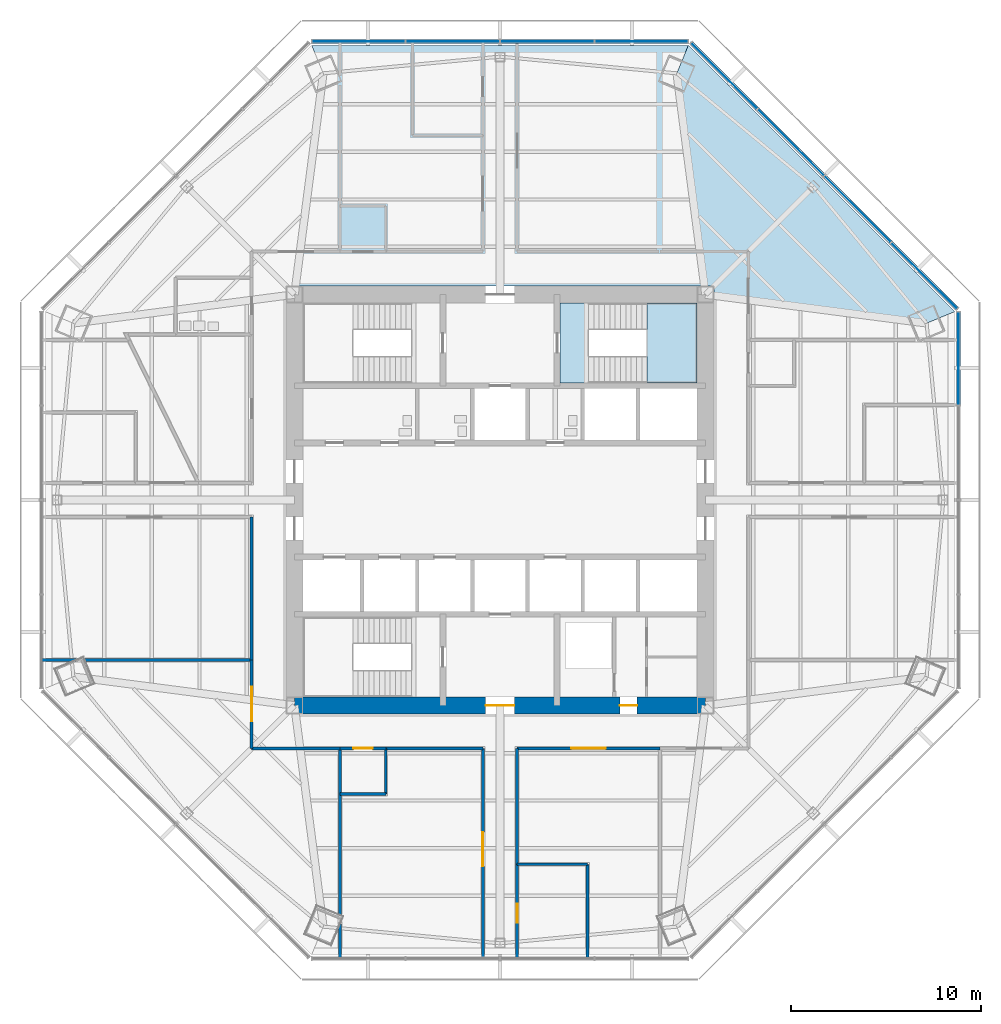
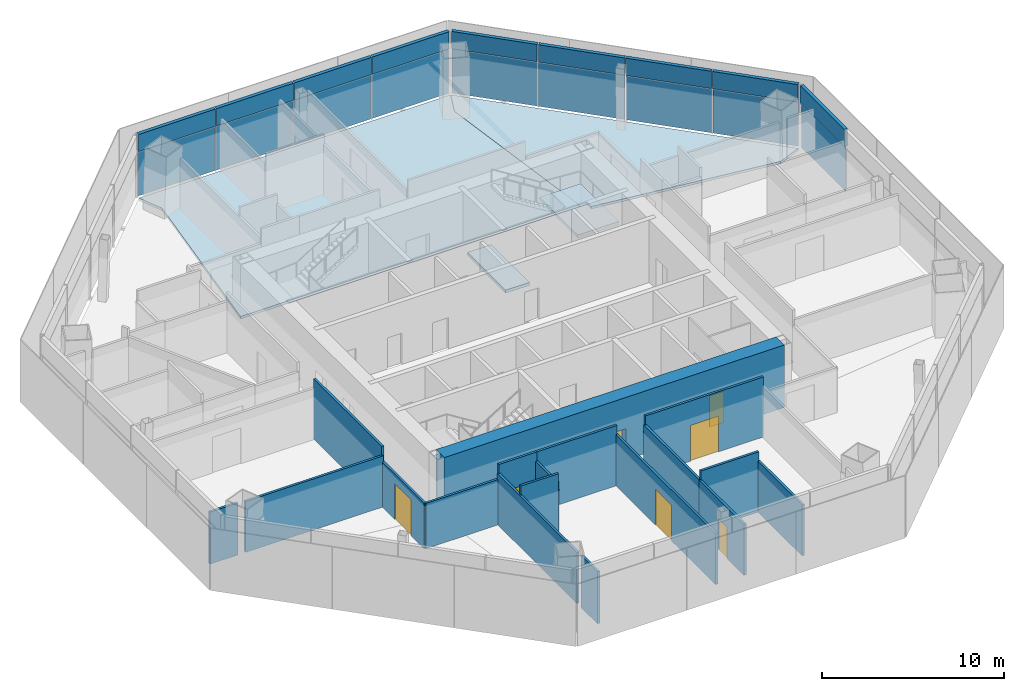
# One storey, part 8 of 14: 18 plates, 18 walls, 7 doors, 4 slabs, 7 openings, 4 elements without a shape of their own.
"""IFC4 building model written with IfcOpenShell, lengths in metres."""

from ifc_helpers import new_model, si_unit, direction, frame, frame_2d, origin, origin_2d, place, context, subcontext, project, spatial, polyline, rectangle, outline, extrude, source, transform, mapped, material, layer, layer_set, type_object, type_shapes, element, fill, aggregate, save


model = new_model("IFC4")

# Units and contexts
model_context = context("Model", 3, precision=1e-05, world=origin(), true_north=direction((0.0, 1.0)))
body_context = subcontext(model_context, "Body", "Model", "MODEL_VIEW")
ifc_project = project(units=[si_unit("LENGTHUNIT", "METRE"), si_unit("AREAUNIT", "SQUARE_METRE"), si_unit("VOLUMEUNIT", "CUBIC_METRE"), si_unit("PLANEANGLEUNIT", "RADIAN"), si_unit("MASSUNIT", "GRAM", prefix="KILO")], contexts=[model_context])

# Site, building, storey
site_placement = place(None, origin())
site = spatial("IfcSite", under=ifc_project, at=site_placement, CompositionType="ELEMENT")
building_placement = place(site_placement, origin())
building = spatial("IfcBuilding", under=site, at=building_placement, Name="Mashrafa Tower", CompositionType="ELEMENT")
storey_placement = place(building_placement, frame((0.0, 0.0, 138.60009765625)))
storey = spatial("IfcBuildingStorey", under=building, at=storey_placement, Name="L31", CompositionType="ELEMENT", Elevation=138.60009765625)

# Slabs
ifc_material_1 = material(Name="Concrete C35/45", Category="concrete")
ifc_layer_1 = layer(ifc_material_1, 0.1650390625)
ifc_layer_set_1 = layer_set([ifc_layer_1], Name="Floor slab 165")
slab_type_1 = type_object("IfcSlabType", Name="Floor slab 165", PredefinedType="FLOOR", material=ifc_layer_set_1)
slab_1_placement = place(storey_placement, frame((0.0, 0.0, -0.1650390625)))
element("IfcSlab", 1, at=slab_1_placement, inside=storey, type_object=slab_type_1, Name="Floor slab L31 north-east bay", PredefinedType="FLOOR", context=body_context, shape_type="SweptSolid", body=[
    extrude(outline(polyline([(9.897216796875, 23.893798828125), (23.893798828125, 9.897216796875), (23.893798828125, 9.897216796875), (22.42041015625, 9.286865234375), (11.25, 10.741455078125), (11.25, 11.25), (10.741455078125, 11.25), (9.286865234375, 22.42041015625), (9.897216796875, 23.893798828125), (9.897216796875, 23.893798828125)])), origin(), (0.0, 0.0, 1.0), 0.1650390625),
])
slab_2_placement = place(storey_placement, frame((0.0, 0.0, -0.1650390625)))
element("IfcSlab", 2, at=slab_2_placement, inside=storey, type_object=slab_type_1, Name="Floor slab L31 north bay", PredefinedType="FLOOR", context=body_context, shape_type="SweptSolid", body=[
    extrude(outline(polyline([(9.897216796875, 23.893798828125), (9.286865234375, 22.42041015625), (10.741455078125, 11.25), (-10.741455078125, 11.25), (-9.286865234375, 22.42041015625), (-9.897216796875, 23.893798828125), (9.897216796875, 23.893798828125)])), origin(), (0.0, 0.0, 1.0), 0.1650390625),
])

# Stair, slabs
ifc_material_2 = material(Name="Exit stair 1400")
stair_type = type_object("IfcStairType", Name="Exit stair 1400", PredefinedType="HALF_TURN_STAIR", material=ifc_material_2)
stair_placement = place(storey_placement, origin())
stair = element("IfcStair", 3, at=stair_placement, inside=storey, type_object=stair_type, Name="Stair S2 L31", PredefinedType="HALF_TURN_STAIR")
ifc_material_3 = material(Name="Concrete C32/40", Category="concrete")
ifc_layer_2 = layer(ifc_material_3, 0.199951171875)
ifc_layer_set_2 = layer_set([ifc_layer_2], Name="Stair landing 200")
slab_type_2 = type_object("IfcSlabType", Name="Stair landing 200", PredefinedType="LANDING", material=ifc_layer_set_2)
slab_3_placement = place(storey_placement, frame((0.0, 0.0, -0.2001953125)))
slab_3 = element("IfcSlab", 4, at=slab_3_placement, type_object=slab_type_2, Name="S2 landing 1", PredefinedType="LANDING", context=body_context, shape_type="SweptSolid", body=[
    extrude(outline(polyline([(3.14990234375, 6.14990234375), (4.659912109375, 6.14990234375), (4.659912109375, 10.35009765625), (3.14990234375, 10.35009765625), (3.14990234375, 6.14990234375)])), origin(), (0.0, 0.0, 1.0), 0.2001953125),
])
slab_4_placement = place(storey_placement, frame((0.0, 0.0, 1.89990234375)))
slab_4 = element("IfcSlab", 5, at=slab_4_placement, type_object=slab_type_2, Name="S2 landing 2", PredefinedType="LANDING", context=body_context, shape_type="SweptSolid", body=[
    extrude(outline(polyline([(7.719970703125, 6.14990234375), (10.35009765625, 6.14990234375), (10.35009765625, 10.35009765625), (7.719970703125, 10.35009765625), (7.719970703125, 6.14990234375)])), origin(), (0.0, 0.0, 1.0), 0.199951171875),
])
aggregate(stair, [slab_3, slab_4])

# Curtain wall, plate
ifc_material_4 = material(Name="Unitised aluminium curtain wall", Category="aluminium")
curtain_wall_type = type_object("IfcCurtainWallType", Name="Office curtain wall, zone 2 CW-B 225 deep", PredefinedType="NOTDEFINED", material=ifc_material_4)
curtain_wall_1_placement = place(storey_placement, origin())
curtain_wall_1 = element("IfcCurtainWall", 6, at=curtain_wall_1_placement, inside=storey, type_object=curtain_wall_type, Name="Office curtain wall, zone 2 L31 east", PredefinedType="NOTDEFINED")
ifc_material_5 = material(Name="Insulated double glazing, low-e, neutral", Category="glass")
ifc_layer_3 = layer(ifc_material_5, 0.028076171875)
ifc_layer_set_3 = layer_set([ifc_layer_3], Name="Vision panel CW-B 28")
plate_type_1 = type_object("IfcPlateType", Name="Vision panel CW-B 28", PredefinedType="CURTAIN_PANEL", material=ifc_layer_set_3)
shared_shape_1 = source(origin(), body_context, "Body", "SweptSolid", [
    extrude(rectangle(XDim=4.8642578125, YDim=0.028076171875, at=origin_2d()), origin(), (0.0, 0.0, 1.0), 2.9599609375),
])
plate_1_placement = place(storey_placement, frame((24.093994140625, 7.42626953125, 0.0), z_axis=(0.0, 0.0, 1.0), x_axis=(0.0, 1.0, 0.0)))
plate_1 = element("IfcPlate", 7, at=plate_1_placement, type_object=plate_type_1, Name="CW-B vision panel 4", PredefinedType="CURTAIN_PANEL", context=body_context, shape_type="MappedRepresentation", body=[
    mapped(shared_shape_1, transform((0.0, 0.0, 0.0))),
])

# Curtain wall, plates
curtain_wall_2_placement = place(storey_placement, origin())
curtain_wall_2 = element("IfcCurtainWall", 8, at=curtain_wall_2_placement, inside=storey, type_object=curtain_wall_type, Name="Office curtain wall, zone 2 L31 north-east", PredefinedType="NOTDEFINED")
plate_2_placement = place(storey_placement, frame((22.2880859375, 11.785888671875, 0.0), z_axis=(0.0, 0.0, 1.0), x_axis=(-0.707106781187, 0.707106781187, 0.0)))
plate_2 = element("IfcPlate", 9, at=plate_2_placement, type_object=plate_type_1, Name="CW-B vision panel 1", PredefinedType="CURTAIN_PANEL", context=body_context, shape_type="MappedRepresentation", body=[
    mapped(shared_shape_1, transform((0.0, 0.0, 0.0))),
])
plate_3_placement = place(storey_placement, frame((11.785888671875, 22.2880859375, 0.0), z_axis=(0.0, 0.0, 1.0), x_axis=(-0.707106781187, 0.707106781187, 0.0)))
plate_3 = element("IfcPlate", 10, at=plate_3_placement, type_object=plate_type_1, Name="CW-B vision panel 4", PredefinedType="CURTAIN_PANEL", context=body_context, shape_type="MappedRepresentation", body=[
    mapped(shared_shape_1, transform((0.0, 0.0, 0.0))),
])

curtain_wall_3_placement = place(storey_placement, origin())
curtain_wall_3 = element("IfcCurtainWall", 11, at=curtain_wall_3_placement, inside=storey, type_object=curtain_wall_type, Name="Office curtain wall, zone 2 L31 north", PredefinedType="NOTDEFINED")
plate_4_placement = place(storey_placement, frame((7.42626953125, 24.093994140625, 0.0), z_axis=(0.0, 0.0, 1.0), x_axis=(-1.0, 0.0, 0.0)))
plate_4 = element("IfcPlate", 12, at=plate_4_placement, type_object=plate_type_1, Name="CW-B vision panel 1", PredefinedType="CURTAIN_PANEL", context=body_context, shape_type="MappedRepresentation", body=[
    mapped(shared_shape_1, transform((0.0, 0.0, 0.0))),
])
plate_5_placement = place(storey_placement, frame((-7.42626953125, 24.093994140625, 0.0), z_axis=(0.0, 0.0, 1.0), x_axis=(-1.0, 0.0, 0.0)))
plate_5 = element("IfcPlate", 13, at=plate_5_placement, type_object=plate_type_1, Name="CW-B vision panel 4", PredefinedType="CURTAIN_PANEL", context=body_context, shape_type="MappedRepresentation", body=[
    mapped(shared_shape_1, transform((0.0, 0.0, 0.0))),
])

# Plate
ifc_material_6 = material(Name="Insulated aluminium spandrel panel", Category="aluminium")
ifc_layer_4 = layer(ifc_material_6, 0.219970703125)
ifc_layer_set_4 = layer_set([ifc_layer_4], Name="Spandrel panel CW-B 220")
plate_type_2 = type_object("IfcPlateType", Name="Spandrel panel CW-B 220", PredefinedType="CURTAIN_PANEL", material=ifc_layer_set_4)
shared_shape_2 = source(origin(), body_context, "Body", "SweptSolid", [
    extrude(rectangle(XDim=4.8642578125, YDim=0.219970703125, at=origin_2d()), origin(), (0.0, 0.0, 1.0), 1.159912109375),
])
plate_6_placement = place(storey_placement, frame((24.093994140625, 7.42626953125, 3.0400390625), z_axis=(0.0, 0.0, 1.0), x_axis=(0.0, 1.0, 0.0)))
plate_6 = element("IfcPlate", 14, at=plate_6_placement, type_object=plate_type_2, Name="CW-B spandrel panel 4", PredefinedType="CURTAIN_PANEL", context=body_context, shape_type="MappedRepresentation", body=[
    mapped(shared_shape_2, transform((0.0, 0.0, 0.0))),
])

aggregate(curtain_wall_1, [plate_1, plate_6])

plate_7_placement = place(storey_placement, frame((22.2880859375, 11.785888671875, 3.0400390625), z_axis=(0.0, 0.0, 1.0), x_axis=(-0.707106781187, 0.707106781187, 0.0)))
plate_7 = element("IfcPlate", 15, at=plate_7_placement, type_object=plate_type_2, Name="CW-B spandrel panel 1", PredefinedType="CURTAIN_PANEL", context=body_context, shape_type="MappedRepresentation", body=[
    mapped(shared_shape_2, transform((0.0, 0.0, 0.0))),
])

plate_8_placement = place(storey_placement, frame((11.785888671875, 22.2880859375, 3.0400390625), z_axis=(0.0, 0.0, 1.0), x_axis=(-0.707106781187, 0.707106781187, 0.0)))
plate_8 = element("IfcPlate", 16, at=plate_8_placement, type_object=plate_type_2, Name="CW-B spandrel panel 4", PredefinedType="CURTAIN_PANEL", context=body_context, shape_type="MappedRepresentation", body=[
    mapped(shared_shape_2, transform((0.0, 0.0, 0.0))),
])

plate_9_placement = place(storey_placement, frame((7.42626953125, 24.093994140625, 3.0400390625), z_axis=(0.0, 0.0, 1.0), x_axis=(-1.0, 0.0, 0.0)))
plate_9 = element("IfcPlate", 17, at=plate_9_placement, type_object=plate_type_2, Name="CW-B spandrel panel 1", PredefinedType="CURTAIN_PANEL", context=body_context, shape_type="MappedRepresentation", body=[
    mapped(shared_shape_2, transform((0.0, 0.0, 0.0))),
])

plate_10_placement = place(storey_placement, frame((-7.42626953125, 24.093994140625, 3.0400390625), z_axis=(0.0, 0.0, 1.0), x_axis=(-1.0, 0.0, 0.0)))
plate_10 = element("IfcPlate", 18, at=plate_10_placement, type_object=plate_type_2, Name="CW-B spandrel panel 4", PredefinedType="CURTAIN_PANEL", context=body_context, shape_type="MappedRepresentation", body=[
    mapped(shared_shape_2, transform((0.0, 0.0, 0.0))),
])

shared_shape_3 = source(origin(), body_context, "Body", "SweptSolid", [
    extrude(rectangle(XDim=4.896728515625, YDim=0.028076171875, at=origin_2d()), origin(), (0.0, 0.0, 1.0), 2.9599609375),
])
type_shapes(plate_type_1, [shared_shape_1, shared_shape_3])
plate_11_placement = place(storey_placement, frame((18.791259765625, 15.28271484375, 0.0), z_axis=(0.0, 0.0, 1.0), x_axis=(-0.707106781187, 0.707106781187, 0.0)))
plate_11 = element("IfcPlate", 19, at=plate_11_placement, type_object=plate_type_1, Name="CW-B vision panel 2", PredefinedType="CURTAIN_PANEL", context=body_context, shape_type="MappedRepresentation", body=[
    mapped(shared_shape_3, transform((0.0, 0.0, 0.0))),
])

plate_12_placement = place(storey_placement, frame((15.28271484375, 18.791259765625, 0.0), z_axis=(0.0, 0.0, 1.0), x_axis=(-0.707106781187, 0.707106781187, 0.0)))
plate_12 = element("IfcPlate", 20, at=plate_12_placement, type_object=plate_type_1, Name="CW-B vision panel 3", PredefinedType="CURTAIN_PANEL", context=body_context, shape_type="MappedRepresentation", body=[
    mapped(shared_shape_3, transform((0.0, 0.0, 0.0))),
])

plate_13_placement = place(storey_placement, frame((2.48095703125, 24.093994140625, 0.0), z_axis=(0.0, 0.0, 1.0), x_axis=(-1.0, 0.0, 0.0)))
plate_13 = element("IfcPlate", 21, at=plate_13_placement, type_object=plate_type_1, Name="CW-B vision panel 2", PredefinedType="CURTAIN_PANEL", context=body_context, shape_type="MappedRepresentation", body=[
    mapped(shared_shape_3, transform((0.0, 0.0, 0.0))),
])

plate_14_placement = place(storey_placement, frame((-2.48095703125, 24.093994140625, 0.0), z_axis=(0.0, 0.0, 1.0), x_axis=(-1.0, 0.0, 0.0)))
plate_14 = element("IfcPlate", 22, at=plate_14_placement, type_object=plate_type_1, Name="CW-B vision panel 3", PredefinedType="CURTAIN_PANEL", context=body_context, shape_type="MappedRepresentation", body=[
    mapped(shared_shape_3, transform((0.0, 0.0, 0.0))),
])

shared_shape_4 = source(origin(), body_context, "Body", "SweptSolid", [
    extrude(rectangle(XDim=4.896728515625, YDim=0.219970703125, at=origin_2d()), origin(), (0.0, 0.0, 1.0), 1.159912109375),
])
type_shapes(plate_type_2, [shared_shape_2, shared_shape_4])
plate_15_placement = place(storey_placement, frame((18.791259765625, 15.28271484375, 3.0400390625), z_axis=(0.0, 0.0, 1.0), x_axis=(-0.707106781187, 0.707106781187, 0.0)))
plate_15 = element("IfcPlate", 23, at=plate_15_placement, type_object=plate_type_2, Name="CW-B spandrel panel 2", PredefinedType="CURTAIN_PANEL", context=body_context, shape_type="MappedRepresentation", body=[
    mapped(shared_shape_4, transform((0.0, 0.0, 0.0))),
])

plate_16_placement = place(storey_placement, frame((15.28271484375, 18.791259765625, 3.0400390625), z_axis=(0.0, 0.0, 1.0), x_axis=(-0.707106781187, 0.707106781187, 0.0)))
plate_16 = element("IfcPlate", 24, at=plate_16_placement, type_object=plate_type_2, Name="CW-B spandrel panel 3", PredefinedType="CURTAIN_PANEL", context=body_context, shape_type="MappedRepresentation", body=[
    mapped(shared_shape_4, transform((0.0, 0.0, 0.0))),
])

aggregate(curtain_wall_2, [plate_2, plate_7, plate_11, plate_15, plate_12, plate_16, plate_3, plate_8])

plate_17_placement = place(storey_placement, frame((2.48095703125, 24.093994140625, 3.0400390625), z_axis=(0.0, 0.0, 1.0), x_axis=(-1.0, 0.0, 0.0)))
plate_17 = element("IfcPlate", 25, at=plate_17_placement, type_object=plate_type_2, Name="CW-B spandrel panel 2", PredefinedType="CURTAIN_PANEL", context=body_context, shape_type="MappedRepresentation", body=[
    mapped(shared_shape_4, transform((0.0, 0.0, 0.0))),
])

plate_18_placement = place(storey_placement, frame((-2.48095703125, 24.093994140625, 3.0400390625), z_axis=(0.0, 0.0, 1.0), x_axis=(-1.0, 0.0, 0.0)))
plate_18 = element("IfcPlate", 26, at=plate_18_placement, type_object=plate_type_2, Name="CW-B spandrel panel 3", PredefinedType="CURTAIN_PANEL", context=body_context, shape_type="MappedRepresentation", body=[
    mapped(shared_shape_4, transform((0.0, 0.0, 0.0))),
])

aggregate(curtain_wall_3, [plate_4, plate_9, plate_13, plate_17, plate_14, plate_18, plate_5, plate_10])

# Wall, openings, doors
ifc_material_7 = material(Name="Concrete C60/75", Category="concrete")
ifc_layer_5 = layer(ifc_material_7, 0.89990234375)
ifc_layer_set_5 = layer_set([ifc_layer_5], Name="Core wall 900 C60/75")
wall_type_1 = type_object("IfcWallType", Name="Core wall 900 C60/75", PredefinedType="SOLIDWALL", material=ifc_layer_set_5)
wall_1_placement = place(storey_placement, frame((-10.800048828125, -10.800048828125, 0.0), z_axis=(0.0, 0.0, 1.0), x_axis=(1.0, 0.0, 0.0)))
wall_1 = element("IfcWall", 27, at=wall_1_placement, inside=storey, type_object=wall_type_1, Name="Core wall CW-S L31", PredefinedType="SOLIDWALL", context=body_context, shape_type="SweptSolid", body=[
    extrude(rectangle(XDim=21.60009765625, YDim=0.89990234375, at=frame_2d((10.800048828125, 0.0))), origin(), (0.0, 0.0, 1.0), 4.199951171875),
])
opening_1_placement = place(wall_1_placement, frame((10.050048828125, 0.0, 0.0)))
opening_1 = element("IfcOpeningElement", 28, at=opening_1_placement, cuts=wall_1, Name="Opening 31.027", PredefinedType="OPENING", context=body_context, shape_type="SweptSolid", body=[
    extrude(rectangle(XDim=1.5, YDim=2.10009765625, at=frame_2d((0.75, 1.050048828125))), frame((0.0, 0.4599609375, 0.0), z_axis=(0.0, -1.0, 0.0), x_axis=(1.0, 0.0, 0.0)), (0.0, 0.0, 1.0), 0.919921875),
])
opening_2_placement = place(wall_1_placement, frame((17.10009765625, 0.0, 0.0)))
opening_2 = element("IfcOpeningElement", 29, at=opening_2_placement, cuts=wall_1, Name="Opening 31.031", PredefinedType="OPENING", context=body_context, shape_type="SweptSolid", body=[
    extrude(rectangle(XDim=0.89990234375, YDim=2.10009765625, at=frame_2d((0.449951171875, 1.050048828125))), frame((0.0, 0.4599609375, 0.0), z_axis=(0.0, -1.0, 0.0), x_axis=(1.0, 0.0, 0.0)), (0.0, 0.0, 1.0), 0.919921875),
])
ifc_material_8 = material(Name="Steel door", Category="steel")
door_type_1 = type_object("IfcDoorType", Name="Lobby door pair 1500 x 2100 90 min", OperationType="DOUBLE_DOOR_SINGLE_SWING", PredefinedType="DOOR", material=ifc_material_8)
door_1_placement = place(opening_1_placement, origin())
door_1 = element("IfcDoor", 30, at=door_1_placement, inside=storey, type_object=door_type_1, Name="Fire-fighting lobby F2 door L31", OperationType="DOUBLE_DOOR_SINGLE_SWING", OverallHeight=2.10009765625, OverallWidth=1.5, PredefinedType="DOOR", context=body_context, shape_type="SweptSolid", body=[
    extrude(rectangle(XDim=1.5, YDim=2.10009765625, at=frame_2d((0.75, 1.050048828125))), frame((0.0, 0.02490234375, 0.0), z_axis=(0.0, -1.0, 0.0), x_axis=(1.0, 0.0, 0.0)), (0.0, 0.0, 1.0), 0.050048828125),
])
fill(opening_1, door_1)
ifc_material_9 = material(Name="Steel door", Category="steel")
door_type_2 = type_object("IfcDoorType", Name="Service door 900 x 2100 90 min", OperationType="USERDEFINED", PredefinedType="DOOR", material=ifc_material_9)
door_2_placement = place(opening_2_placement, frame((0.89990234375, 0.0, 0.0), z_axis=(0.0, 0.0, 1.0), x_axis=(-1.0, 0.0, 0.0)))
door_2 = element("IfcDoor", 31, at=door_2_placement, inside=storey, type_object=door_type_2, Name="Services Lobby L31 door", OperationType="SINGLE_SWING_LEFT", OverallHeight=2.10009765625, OverallWidth=0.89990234375, PredefinedType="DOOR", context=body_context, shape_type="SweptSolid", body=[
    extrude(rectangle(XDim=0.89990234375, YDim=2.10009765625, at=frame_2d((0.449951171875, 1.050048828125))), frame((0.0, 0.02490234375, 0.0), z_axis=(0.0, -1.0, 0.0), x_axis=(1.0, 0.0, 0.0)), (0.0, 0.0, 1.0), 0.050048828125),
])
fill(opening_2, door_2)

# Wall, opening, door
ifc_material_10 = material(Name="Gypsum board on steel studs", Category="steel")
ifc_layer_6 = layer(ifc_material_10, 0.14990234375)
ifc_layer_set_6 = layer_set([ifc_layer_6], Name="Corridor partition 150 1 hr")
wall_type_2 = type_object("IfcWallType", Name="Corridor partition 150 1 hr", PredefinedType="PARTITIONING", material=ifc_layer_set_6)
wall_2_placement = place(storey_placement, frame((0.89990234375, -24.077880859375, 0.0), z_axis=(0.0, 0.0, 1.0), x_axis=(0.0, 1.0, 0.0)))
wall_2 = element("IfcWall", 32, at=wall_2_placement, inside=storey, type_object=wall_type_2, Name="Corridor wall L31-005", PredefinedType="PARTITIONING", context=body_context, shape_type="SweptSolid", body=[
    extrude(rectangle(XDim=4.93505859375, YDim=0.14990234375, at=frame_2d((2.467529296875, 0.0))), origin(), (0.0, 0.0, 1.0), 3.425537109375),
])
opening_3_placement = place(wall_2_placement, frame((1.849609375, 0.0, 0.0)))
opening_3 = element("IfcOpeningElement", 33, at=opening_3_placement, cuts=wall_2, Name="Opening 31.004", PredefinedType="OPENING", context=body_context, shape_type="SweptSolid", body=[
    extrude(rectangle(XDim=1.0, YDim=2.10009765625, at=frame_2d((0.5, 1.050048828125))), frame((0.0, 0.0849609375, 0.0), z_axis=(0.0, -1.0, 0.0), x_axis=(1.0, 0.0, 0.0)), (0.0, 0.0, 1.0), 0.169921875),
])
ifc_material_11 = material(Name="Timber door", Category="wood")
door_type_3 = type_object("IfcDoorType", Name="Door 1000 x 2100", OperationType="USERDEFINED", PredefinedType="DOOR", material=ifc_material_11)
door_3_placement = place(opening_3_placement, frame((1.0, 0.0, 0.0), z_axis=(0.0, 0.0, 1.0), x_axis=(-1.0, 0.0, 0.0)))
door_3 = element("IfcDoor", 34, at=door_3_placement, inside=storey, type_object=door_type_3, Name="Meeting Room 31-S door", OperationType="SINGLE_SWING_RIGHT", OverallHeight=2.10009765625, OverallWidth=1.0, PredefinedType="DOOR", context=body_context, shape_type="SweptSolid", body=[
    extrude(rectangle(XDim=1.0, YDim=2.10009765625, at=frame_2d((0.5, 1.050048828125))), frame((0.0, 0.02490234375, 0.0), z_axis=(0.0, -1.0, 0.0), x_axis=(1.0, 0.0, 0.0)), (0.0, 0.0, 1.0), 0.050048828125),
])
fill(opening_3, door_3)

wall_3_placement = place(storey_placement, frame((-8.40087890625, -13.050048828125, 0.0), z_axis=(0.0, 0.0, 1.0), x_axis=(1.0, 0.0, 0.0)))
wall_3 = element("IfcWall", 35, at=wall_3_placement, inside=storey, type_object=wall_type_2, Name="Corridor wall L31-010", PredefinedType="PARTITIONING", context=body_context, shape_type="SweptSolid", body=[
    extrude(rectangle(XDim=2.40185546875, YDim=0.14990234375, at=frame_2d((1.200927734375, 0.0))), origin(), (0.0, 0.0, 1.0), 4.034912109375),
])
opening_4_placement = place(wall_3_placement, frame((0.700927734375, 0.0, 0.0)))
opening_4 = element("IfcOpeningElement", 36, at=opening_4_placement, cuts=wall_3, Name="Opening 31.009", PredefinedType="OPENING", context=body_context, shape_type="SweptSolid", body=[
    extrude(rectangle(XDim=1.0, YDim=2.10009765625, at=frame_2d((0.5, 1.050048828125))), frame((0.0, 0.0849609375, 0.0), z_axis=(0.0, -1.0, 0.0), x_axis=(1.0, 0.0, 0.0)), (0.0, 0.0, 1.0), 0.169921875),
])
door_4_placement = place(opening_4_placement, frame((1.0, 0.0, 0.0), z_axis=(0.0, 0.0, 1.0), x_axis=(-1.0, 0.0, 0.0)))
door_4 = element("IfcDoor", 37, at=door_4_placement, inside=storey, type_object=door_type_3, Name="Kitchenette 31-S door", OperationType="SINGLE_SWING_RIGHT", OverallHeight=2.10009765625, OverallWidth=1.0, PredefinedType="DOOR", context=body_context, shape_type="SweptSolid", body=[
    extrude(rectangle(XDim=1.0, YDim=2.10009765625, at=frame_2d((0.5, 1.050048828125))), frame((0.0, 0.02490234375, 0.0), z_axis=(0.0, -1.0, 0.0), x_axis=(1.0, 0.0, 0.0)), (0.0, 0.0, 1.0), 0.050048828125),
])
fill(opening_4, door_4)

# Wall
wall_4_placement = place(storey_placement, frame((-6.0009765625, -13.050048828125, 0.0), z_axis=(0.0, 0.0, 1.0), x_axis=(1.0, 0.0, 0.0)))
element("IfcWall", 38, at=wall_4_placement, inside=storey, type_object=wall_type_2, Name="Corridor wall L31-022", PredefinedType="PARTITIONING", context=body_context, shape_type="SweptSolid", body=[
    extrude(rectangle(XDim=5.10107421875, YDim=0.14990234375, at=frame_2d((2.550537109375, 0.0))), origin(), (0.0, 0.0, 1.0), 4.034912109375),
])

# Wall, opening, door
wall_5_placement = place(storey_placement, frame((-0.89990234375, -13.050048828125, 0.0), z_axis=(0.0, 0.0, 1.0), x_axis=(0.0, -1.0, 0.0)))
wall_5 = element("IfcWall", 39, at=wall_5_placement, inside=storey, type_object=wall_type_2, Name="Corridor wall L31-023", PredefinedType="PARTITIONING", context=body_context, shape_type="SweptSolid", body=[
    extrude(rectangle(XDim=11.02783203125, YDim=0.14990234375, at=frame_2d((5.513916015625, 0.0))), origin(), (0.0, 0.0, 1.0), 3.425537109375),
])
opening_5_placement = place(wall_5_placement, frame((4.39697265625, 0.0, 0.0)))
opening_5 = element("IfcOpeningElement", 40, at=opening_5_placement, cuts=wall_5, Name="Opening 31.016", PredefinedType="OPENING", context=body_context, shape_type="SweptSolid", body=[
    extrude(rectangle(XDim=1.800048828125, YDim=2.39990234375, at=frame_2d((0.89990234375, 1.199951171875))), frame((0.0, 0.0849609375, 0.0), z_axis=(0.0, -1.0, 0.0), x_axis=(1.0, 0.0, 0.0)), (0.0, 0.0, 1.0), 0.169921875),
])
ifc_material_12 = material(Name="Timber door", Category="wood")
door_type_4 = type_object("IfcDoorType", Name="Door pair 1800 x 2400", OperationType="DOUBLE_DOOR_SINGLE_SWING", PredefinedType="DOOR", material=ifc_material_12)
door_5_placement = place(opening_5_placement, frame((1.800048828125, 0.0, 0.0), z_axis=(0.0, 0.0, 1.0), x_axis=(-1.0, 0.0, 0.0)))
door_5 = element("IfcDoor", 41, at=door_5_placement, inside=storey, type_object=door_type_4, Name="Office Suite 31-SW12 door", OperationType="DOUBLE_DOOR_SINGLE_SWING", OverallHeight=2.39990234375, OverallWidth=1.800048828125, PredefinedType="DOOR", context=body_context, shape_type="SweptSolid", body=[
    extrude(rectangle(XDim=1.800048828125, YDim=2.39990234375, at=frame_2d((0.89990234375, 1.199951171875))), frame((0.0, 0.02490234375, 0.0), z_axis=(0.0, -1.0, 0.0), x_axis=(1.0, 0.0, 0.0)), (0.0, 0.0, 1.0), 0.050048828125),
])
fill(opening_5, door_5)

# Wall
wall_6_placement = place(storey_placement, frame((-13.050048828125, -0.89990234375, 0.0), z_axis=(0.0, 0.0, 1.0), x_axis=(0.0, -1.0, 0.0)))
element("IfcWall", 42, at=wall_6_placement, inside=storey, type_object=wall_type_2, Name="Corridor wall L31-025", PredefinedType="PARTITIONING", context=body_context, shape_type="SweptSolid", body=[
    extrude(rectangle(XDim=7.5009765625, YDim=0.14990234375, at=frame_2d((3.75048828125, 0.0))), origin(), (0.0, 0.0, 1.0), 4.034912109375),
])

# Wall, opening, door
wall_7_placement = place(storey_placement, frame((-13.050048828125, -8.39892578125, 0.0), z_axis=(0.0, 0.0, 1.0), x_axis=(0.0, -1.0, 0.0)))
wall_7 = element("IfcWall", 43, at=wall_7_placement, inside=storey, type_object=wall_type_2, Name="Corridor wall L31-026", PredefinedType="PARTITIONING", context=body_context, shape_type="SweptSolid", body=[
    extrude(rectangle(XDim=4.651123046875, YDim=0.14990234375, at=frame_2d((2.32568359375, 0.0))), origin(), (0.0, 0.0, 1.0), 3.0419921875),
])
opening_6_placement = place(wall_7_placement, frame((1.425537109375, 0.0, 0.0)))
opening_6 = element("IfcOpeningElement", 44, at=opening_6_placement, cuts=wall_7, Name="Opening 31.018", PredefinedType="OPENING", context=body_context, shape_type="SweptSolid", body=[
    extrude(rectangle(XDim=1.800048828125, YDim=2.39990234375, at=frame_2d((0.89990234375, 1.199951171875))), frame((0.0, 0.0849609375, 0.0), z_axis=(0.0, -1.0, 0.0), x_axis=(1.0, 0.0, 0.0)), (0.0, 0.0, 1.0), 0.169921875),
])
door_6_placement = place(opening_6_placement, frame((1.800048828125, 0.0, 0.0), z_axis=(0.0, 0.0, 1.0), x_axis=(-1.0, 0.0, 0.0)))
door_6 = element("IfcDoor", 45, at=door_6_placement, inside=storey, type_object=door_type_4, Name="Office Suite 31-SW22 door", OperationType="DOUBLE_DOOR_SINGLE_SWING", OverallHeight=2.39990234375, OverallWidth=1.800048828125, PredefinedType="DOOR", context=body_context, shape_type="SweptSolid", body=[
    extrude(rectangle(XDim=1.800048828125, YDim=2.39990234375, at=frame_2d((0.89990234375, 1.199951171875))), frame((0.0, 0.02490234375, 0.0), z_axis=(0.0, -1.0, 0.0), x_axis=(1.0, 0.0, 0.0)), (0.0, 0.0, 1.0), 0.050048828125),
])
fill(opening_6, door_6)

# Walls
wall_8_placement = place(storey_placement, frame((-13.050048828125, -13.050048828125, 0.0), z_axis=(0.0, 0.0, 1.0), x_axis=(1.0, 0.0, 0.0)))
element("IfcWall", 46, at=wall_8_placement, inside=storey, type_object=wall_type_2, Name="Corridor wall L31-027", PredefinedType="PARTITIONING", context=body_context, shape_type="SweptSolid", body=[
    extrude(rectangle(XDim=4.651123046875, YDim=0.14990234375, at=frame_2d((2.32568359375, 0.0))), origin(), (0.0, 0.0, 1.0), 3.0419921875),
])
wall_9_placement = place(storey_placement, frame((0.89990234375, -19.14501953125, 0.0), z_axis=(0.0, 0.0, 1.0), x_axis=(0.0, 1.0, 0.0)))
element("IfcWall", 47, at=wall_9_placement, inside=storey, type_object=wall_type_2, Name="Corridor wall L31-028", PredefinedType="PARTITIONING", context=body_context, shape_type="SweptSolid", body=[
    extrude(rectangle(XDim=6.094970703125, YDim=0.14990234375, at=frame_2d((3.04736328125, 0.0))), origin(), (0.0, 0.0, 1.0), 3.425537109375),
])

# Wall, opening, door
wall_10_placement = place(storey_placement, frame((0.89990234375, -13.050048828125, 0.0), z_axis=(0.0, 0.0, 1.0), x_axis=(1.0, 0.0, 0.0)))
wall_10 = element("IfcWall", 48, at=wall_10_placement, inside=storey, type_object=wall_type_2, Name="Corridor wall L31-029", PredefinedType="PARTITIONING", context=body_context, shape_type="SweptSolid", body=[
    extrude(rectangle(XDim=7.5009765625, YDim=0.14990234375, at=frame_2d((3.75048828125, 0.0))), origin(), (0.0, 0.0, 1.0), 4.034912109375),
])
opening_7_placement = place(wall_10_placement, frame((2.8505859375, 0.0, 0.0)))
opening_7 = element("IfcOpeningElement", 49, at=opening_7_placement, cuts=wall_10, Name="Opening 31.019", PredefinedType="OPENING", context=body_context, shape_type="SweptSolid", body=[
    extrude(rectangle(XDim=1.800048828125, YDim=2.39990234375, at=frame_2d((0.89990234375, 1.199951171875))), frame((0.0, 0.0849609375, 0.0), z_axis=(0.0, -1.0, 0.0), x_axis=(1.0, 0.0, 0.0)), (0.0, 0.0, 1.0), 0.169921875),
])
door_7_placement = place(opening_7_placement, frame((1.800048828125, 0.0, 0.0), z_axis=(0.0, 0.0, 1.0), x_axis=(-1.0, 0.0, 0.0)))
door_7 = element("IfcDoor", 50, at=door_7_placement, inside=storey, type_object=door_type_4, Name="Office Suite 31-SE12 door", OperationType="DOUBLE_DOOR_SINGLE_SWING", OverallHeight=2.39990234375, OverallWidth=1.800048828125, PredefinedType="DOOR", context=body_context, shape_type="SweptSolid", body=[
    extrude(rectangle(XDim=1.800048828125, YDim=2.39990234375, at=frame_2d((0.89990234375, 1.199951171875))), frame((0.0, 0.02490234375, 0.0), z_axis=(0.0, -1.0, 0.0), x_axis=(1.0, 0.0, 0.0)), (0.0, 0.0, 1.0), 0.050048828125),
])
fill(opening_7, door_7)

# Walls
ifc_material_13 = material(Name="Gypsum board on steel studs", Category="steel")
ifc_layer_7 = layer(ifc_material_13, 0.14990234375)
ifc_layer_set_7 = layer_set([ifc_layer_7], Name="Partition 150")
wall_type_3 = type_object("IfcWallType", Name="Partition 150", PredefinedType="PARTITIONING", material=ifc_layer_set_7)
wall_11_placement = place(storey_placement, frame((4.60009765625, -24.075927734375, 0.0), z_axis=(0.0, 0.0, 1.0), x_axis=(0.0, 1.0, 0.0)))
element("IfcWall", 51, at=wall_11_placement, inside=storey, type_object=wall_type_3, Name="Partition wall L31-042", PredefinedType="PARTITIONING", context=body_context, shape_type="SweptSolid", body=[
    extrude(rectangle(XDim=4.93212890625, YDim=0.14990234375, at=frame_2d((2.466064453125, 0.0))), origin(), (0.0, 0.0, 1.0), 3.425537109375),
])
wall_12_placement = place(storey_placement, frame((4.60009765625, -19.143798828125, 0.0), z_axis=(0.0, 0.0, 1.0), x_axis=(-1.0, 0.0, 0.0)))
element("IfcWall", 52, at=wall_12_placement, inside=storey, type_object=wall_type_3, Name="Partition wall L31-043", PredefinedType="PARTITIONING", context=body_context, shape_type="SweptSolid", body=[
    extrude(rectangle(XDim=3.7001953125, YDim=0.14990234375, at=frame_2d((1.85009765625, 0.0))), origin(), (0.0, 0.0, 1.0), 4.034912109375),
])
wall_13_placement = place(storey_placement, frame((-8.39990234375, -15.449951171875, 0.0), z_axis=(0.0, 0.0, 1.0), x_axis=(1.0, 0.0, 0.0)))
element("IfcWall", 53, at=wall_13_placement, inside=storey, type_object=wall_type_3, Name="Partition wall L31-054", PredefinedType="PARTITIONING", context=body_context, shape_type="SweptSolid", body=[
    extrude(rectangle(XDim=2.39990234375, YDim=0.14990234375, at=frame_2d((1.199951171875, 0.0))), origin(), (0.0, 0.0, 1.0), 4.034912109375),
])
wall_14_placement = place(storey_placement, frame((-6.0, -15.449951171875, 0.0), z_axis=(0.0, 0.0, 1.0), x_axis=(0.0, 1.0, 0.0)))
element("IfcWall", 54, at=wall_14_placement, inside=storey, type_object=wall_type_3, Name="Partition wall L31-055", PredefinedType="PARTITIONING", context=body_context, shape_type="SweptSolid", body=[
    extrude(rectangle(XDim=2.39990234375, YDim=0.14990234375, at=frame_2d((1.199951171875, 0.0))), origin(), (0.0, 0.0, 1.0), 3.425537109375),
])
wall_15_placement = place(storey_placement, frame((-8.39990234375, -13.050048828125, 0.0), z_axis=(0.0, 0.0, 1.0), x_axis=(0.0, -1.0, 0.0)))
element("IfcWall", 55, at=wall_15_placement, inside=storey, type_object=wall_type_3, Name="Partition wall L31-056", PredefinedType="PARTITIONING", context=body_context, shape_type="SweptSolid", body=[
    extrude(rectangle(XDim=8.76025390625, YDim=0.14990234375, at=frame_2d((4.380126953125, 0.0))), origin(), (0.0, 0.0, 1.0), 3.425537109375),
])
for number, where, z_axis, x_axis, name in (
    (56, (-8.39990234375, -22.288818359375, 0.0), (0.0, 0.0, 1.0), (0.0, -1.0, 0.0), "Partition wall L31-064"),
    (57, (-24.075927734375, -8.39990234375, 0.0), (0.0, 0.0, 1.0), (1.0, 0.0, 0.0), "Partition wall L31-065"),
):
    element("IfcWall", number, at=place(storey_placement, frame(where, z_axis=z_axis, x_axis=x_axis)), inside=storey, type_object=wall_type_3, Name=name, PredefinedType="PARTITIONING", context=body_context, shape_type="SweptSolid", body=[
        extrude(rectangle(XDim=1.787109375, YDim=0.14990234375, at=frame_2d((0.8935546875, 0.0))), origin(), (0.0, 0.0, 1.0), 3.4990234375),
    ])
wall_16_placement = place(storey_placement, frame((-21.810302734375, -8.39990234375, 0.0), z_axis=(0.0, 0.0, 1.0), x_axis=(1.0, 0.0, 0.0)))
element("IfcWall", 58, at=wall_16_placement, inside=storey, type_object=wall_type_3, Name="Partition wall L31-066", PredefinedType="PARTITIONING", context=body_context, shape_type="SweptSolid", body=[
    extrude(rectangle(XDim=8.76025390625, YDim=0.14990234375, at=frame_2d((4.380126953125, 0.0))), origin(), (0.0, 0.0, 1.0), 3.425537109375),
])

save(model, "model.ifc")
